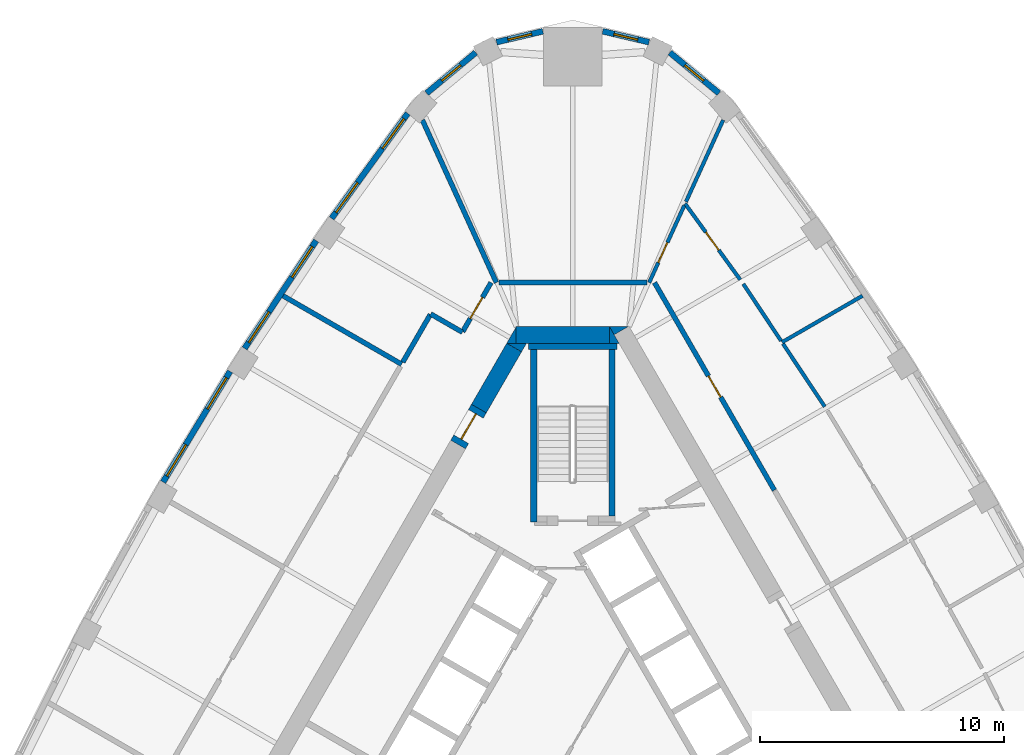
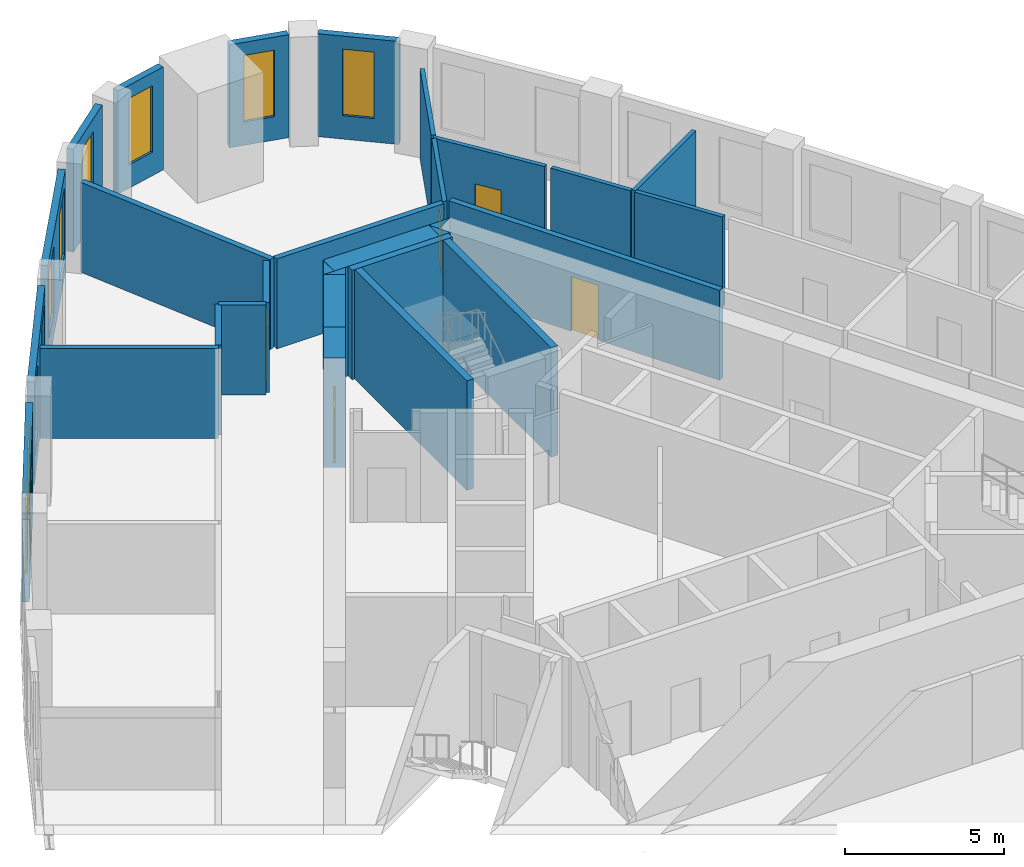
# One storey, part 8 of 10: 30 walls, 10 windows, 5 doors, 15 openings.
"""IFC4 building model written with IfcOpenShell, lengths in metres."""

from ifc_helpers import new_model, si_unit, direction, frame, frame_2d, origin, place, context, subcontext, project, spatial, polyline, rectangle, outline, extrude, material, layer, layer_set, type_object, element, fill, save


model = new_model("IFC4")

# Units and contexts
model_context = context("Model", 3, precision=1e-05, world=origin(), true_north=direction((0.0, 1.0)))
body_context = subcontext(model_context, "Body", "Model", "MODEL_VIEW")
ifc_project = project(units=[si_unit("LENGTHUNIT", "METRE"), si_unit("AREAUNIT", "SQUARE_METRE"), si_unit("VOLUMEUNIT", "CUBIC_METRE"), si_unit("PLANEANGLEUNIT", "RADIAN"), si_unit("MASSUNIT", "GRAM", prefix="KILO")], contexts=[model_context])

# Site, building, storey
site_placement = place(None, origin())
site = spatial("IfcSite", under=ifc_project, at=site_placement, CompositionType="ELEMENT")
building_placement = place(site_placement, origin())
building = spatial("IfcBuilding", under=site, at=building_placement, Name="Mestral Congress Tower", CompositionType="ELEMENT")
storey_placement = place(building_placement, frame((0.0, 0.0, 231.0)))
storey = spatial("IfcBuildingStorey", under=building, at=storey_placement, Name="L54", CompositionType="ELEMENT", Elevation=231.0)

# Walls
ifc_material_1 = material(Name="Concrete C60/75", Category="concrete")
ifc_layer_1 = layer(ifc_material_1, 0.699951171875)
ifc_layer_set_1 = layer_set([ifc_layer_1], Name="Concrete C60/75")
wall_type_1 = type_object("IfcWallType", Name="Core wall RC 700", PredefinedType="SOLIDWALL", material=ifc_layer_set_1)
placement = place(storey_placement, origin())
element("IfcWall", 1, at=placement, inside=storey, type_object=wall_type_1, Name="L54 core wall", PredefinedType="SOLIDWALL", context=body_context, shape_type="SweptSolid", body=[
    extrude(outline(polyline([(1.501220703125, 16.699951171875), (2.277099609375, 16.699951171875), (1.695068359375, 16.364013671875), (1.501220703125, 16.699951171875)])), origin(), (0.0, 0.0, 1.0), 4.199951171875),
])
wall_2_placement = place(storey_placement, frame((-2.323486328125, 16.35009765625, 0.0), z_axis=(0.0, 0.0, 1.0), x_axis=(1.0, 0.0, 0.0)))
element("IfcWall", 2, at=wall_2_placement, inside=storey, type_object=wall_type_1, Name="L54 core wall", PredefinedType="SOLIDWALL", context=body_context, shape_type="SweptSolid", body=[
    extrude(rectangle(XDim=3.828857421875, YDim=0.699951171875, at=frame_2d((1.91455078125, 0.0))), origin(), (0.0, 0.0, 1.0), 4.199951171875),
])
element("IfcWall", 3, at=placement, inside=storey, type_object=wall_type_1, Name="L54 core wall", PredefinedType="SOLIDWALL", context=body_context, shape_type="SweptSolid", body=[
    extrude(outline(polyline([(1.9052734375, 16.0), (1.50732421875, 16.0), (1.50732421875, 16.689208984375), (1.9052734375, 16.0)])), origin(), (0.0, 0.0, 1.0), 4.199951171875),
])
element("IfcWall", 4, at=placement, inside=storey, type_object=wall_type_1, Name="L54 core wall", PredefinedType="SOLIDWALL", context=body_context, shape_type="SweptSolid", body=[
    extrude(outline(polyline([(-2.71337890625, 16.0), (-2.325439453125, 16.672119140625), (-2.325439453125, 16.0), (-2.71337890625, 16.0)])), origin(), (0.0, 0.0, 1.0), 4.199951171875),
])
wall_5_placement = place(storey_placement, frame((-2.4033203125, 15.837158203125, 0.0), z_axis=(0.0, 0.0, 1.0), x_axis=(-0.500008214683, -0.866020660983, 0.0)))
element("IfcWall", 5, at=wall_5_placement, inside=storey, type_object=wall_type_1, Name="L54 core wall", PredefinedType="SOLIDWALL", context=body_context, shape_type="SweptSolid", body=[
    extrude(rectangle(XDim=2.88427734375, YDim=0.699951171875, at=frame_2d((1.442138671875, 0.0))), origin(), (0.0, 0.0, 1.0), 4.199951171875),
])
element("IfcWall", 6, at=placement, inside=storey, type_object=wall_type_1, Name="L54 core wall", PredefinedType="SOLIDWALL", context=body_context, shape_type="SweptSolid", body=[
    extrude(outline(polyline([(-1.9052734375, 16.0), (-2.099365234375, 15.6640625), (-2.681396484375, 16.0), (-1.9052734375, 16.0)])), origin(), (0.0, 0.0, 1.0), 4.199951171875),
])

# Wall, opening, door
wall_7_placement = place(storey_placement, frame((-4.695556640625, 11.866943359375, 0.0), z_axis=(0.0, 0.0, 1.0), x_axis=(0.499892348375, 0.866087547558, 0.0)))
wall_7 = element("IfcWall", 7, at=wall_7_placement, inside=storey, type_object=wall_type_1, Name="L54 door wall", PredefinedType="SOLIDWALL", context=body_context, shape_type="SweptSolid", body=[
    extrude(rectangle(XDim=1.699951171875, YDim=0.699951171875, at=frame_2d((0.85009765625, 0.0))), origin(), (0.0, 0.0, 1.0), 4.199951171875),
])
opening_1_placement = place(wall_7_placement, frame((0.25, 0.0, 0.0)))
opening_1 = element("IfcOpeningElement", 8, at=opening_1_placement, cuts=wall_7, Name="Opening XD2", PredefinedType="OPENING", context=body_context, shape_type="SweptSolid", body=[
    extrude(rectangle(XDim=1.199951171875, YDim=2.10009765625, at=frame_2d((0.60009765625, 1.050048828125))), frame((0.0, 0.35986328125, 0.0), z_axis=(0.0, -1.0, 0.0), x_axis=(1.0, 0.0, 0.0)), (0.0, 0.0, 1.0), 0.719970703125),
])
ifc_material_2 = material(Name="Fire-rated steel door set", Category="steel")
door_type_1 = type_object("IfcDoorType", Name="Core door XD 1200x2100", OperationType="SINGLE_SWING_LEFT", PredefinedType="DOOR", material=ifc_material_2)
door_1_placement = place(opening_1_placement, origin())
door_1 = element("IfcDoor", 9, at=door_1_placement, inside=storey, type_object=door_type_1, Name="Door XD2", OperationType="SINGLE_SWING_LEFT", OverallHeight=2.10009765625, OverallWidth=1.199951171875, PredefinedType="DOOR", context=body_context, shape_type="SweptSolid", body=[
    extrude(rectangle(XDim=1.199951171875, YDim=2.10009765625, at=frame_2d((0.60009765625, 1.050048828125))), frame((0.0, 0.02490234375, 0.0), z_axis=(0.0, -1.0, 0.0), x_axis=(1.0, 0.0, 0.0)), (0.0, 0.0, 1.0), 0.050048828125),
])
fill(opening_1, door_1)

# Wall, opening, window
ifc_material_3 = material(Name="Precast concrete C40/50 with limestone facing", Category="masonry")
ifc_layer_2 = layer(ifc_material_3, 0.239990234375)
ifc_layer_set_2 = layer_set([ifc_layer_2], Name="Precast concrete C40/50 with limestone facing")
wall_type_2 = type_object("IfcWallType", Name="Facade stone wall 240", PredefinedType="SOLIDWALL", material=ifc_layer_set_2)
wall_8_placement = place(storey_placement, frame((5.986572265625, 26.259033203125, 0.0), z_axis=(0.0, 0.0, 1.0), x_axis=(-0.769990037733, 0.638055908045, 0.0)))
wall_8 = element("IfcWall", 10, at=wall_8_placement, inside=storey, type_object=wall_type_2, Name="Facade wall K1-0", PredefinedType="SOLIDWALL", context=body_context, shape_type="SweptSolid", body=[
    extrude(rectangle(XDim=2.609130859375, YDim=0.239990234375, at=frame_2d((1.3046875, 0.0))), origin(), (0.0, 0.0, 1.0), 3.949951171875),
])
opening_2_placement = place(wall_8_placement, frame((0.8046875, 0.0, 0.89990234375)))
opening_2 = element("IfcOpeningElement", 11, at=opening_2_placement, cuts=wall_8, Name="Opening W5", PredefinedType="OPENING", context=body_context, shape_type="SweptSolid", body=[
    extrude(rectangle(XDim=1.0, YDim=2.550048828125, at=frame_2d((0.5, 1.27490234375))), frame((0.0, 0.1298828125, 0.0), z_axis=(0.0, -1.0, 0.0), x_axis=(1.0, 0.0, 0.0)), (0.0, 0.0, 1.0), 0.260009765625),
])
ifc_material_4 = material(Name="Clear low-emissivity double glazing", Category="glass")
window_type_1 = type_object("IfcWindowType", Name="Facade punched window 1000 x 2550 sill 900", PartitioningType="SINGLE_PANEL", PredefinedType="WINDOW", material=ifc_material_4)
window_1_placement = place(opening_2_placement, origin())
window_1 = element("IfcWindow", 12, at=window_1_placement, inside=storey, type_object=window_type_1, Name="Window K1-0", OverallHeight=2.550048828125, OverallWidth=1.0, PartitioningType="SINGLE_PANEL", PredefinedType="WINDOW", context=body_context, shape_type="SweptSolid", body=[
    extrude(rectangle(XDim=1.0, YDim=2.550048828125, at=frame_2d((0.5, 1.27490234375))), frame((0.0, 0.0400390625, 0.0), z_axis=(0.0, -1.0, 0.0), x_axis=(1.0, 0.0, 0.0)), (0.0, 0.0, 1.0), 0.06005859375),
])
fill(opening_2, window_1)

wall_9_placement = place(storey_placement, frame((3.123046875, 28.3486328125, 0.0), z_axis=(0.0, 0.0, 1.0), x_axis=(-0.973515706272, 0.228620142686, 0.0)))
wall_9 = element("IfcWall", 13, at=wall_9_placement, inside=storey, type_object=wall_type_2, Name="Facade wall K1-1", PredefinedType="SOLIDWALL", context=body_context, shape_type="SweptSolid", body=[
    extrude(rectangle(XDim=1.94775390625, YDim=0.239990234375, at=frame_2d((0.973876953125, 0.0))), origin(), (0.0, 0.0, 1.0), 3.949951171875),
])
opening_3_placement = place(wall_9_placement, frame((0.47412109375, 0.0, 0.89990234375)))
opening_3 = element("IfcOpeningElement", 14, at=opening_3_placement, cuts=wall_9, Name="Opening W5", PredefinedType="OPENING", context=body_context, shape_type="SweptSolid", body=[
    extrude(rectangle(XDim=1.0, YDim=2.550048828125, at=frame_2d((0.5, 1.27490234375))), frame((0.0, 0.1298828125, 0.0), z_axis=(0.0, -1.0, 0.0), x_axis=(1.0, 0.0, 0.0)), (0.0, 0.0, 1.0), 0.260009765625),
])
window_2_placement = place(opening_3_placement, origin())
window_2 = element("IfcWindow", 15, at=window_2_placement, inside=storey, type_object=window_type_1, Name="Window K1-1", OverallHeight=2.550048828125, OverallWidth=1.0, PartitioningType="SINGLE_PANEL", PredefinedType="WINDOW", context=body_context, shape_type="SweptSolid", body=[
    extrude(rectangle(XDim=1.0, YDim=2.550048828125, at=frame_2d((0.5, 1.27490234375))), frame((0.0, 0.0400390625, 0.0), z_axis=(0.0, -1.0, 0.0), x_axis=(1.0, 0.0, 0.0)), (0.0, 0.0, 1.0), 0.06005859375),
])
fill(opening_3, window_2)

wall_10_placement = place(storey_placement, frame((-1.226806640625, 28.7939453125, 0.0), z_axis=(0.0, 0.0, 1.0), x_axis=(-0.973515706272, -0.228620142686, 0.0)))
wall_10 = element("IfcWall", 16, at=wall_10_placement, inside=storey, type_object=wall_type_2, Name="Facade wall K1-2", PredefinedType="SOLIDWALL", context=body_context, shape_type="SweptSolid", body=[
    extrude(rectangle(XDim=1.94775390625, YDim=0.239990234375, at=frame_2d((0.973876953125, 0.0))), origin(), (0.0, 0.0, 1.0), 3.949951171875),
])
opening_4_placement = place(wall_10_placement, frame((0.47412109375, 0.0, 0.89990234375)))
opening_4 = element("IfcOpeningElement", 17, at=opening_4_placement, cuts=wall_10, Name="Opening W5", PredefinedType="OPENING", context=body_context, shape_type="SweptSolid", body=[
    extrude(rectangle(XDim=1.0, YDim=2.550048828125, at=frame_2d((0.5, 1.27490234375))), frame((0.0, 0.1298828125, 0.0), z_axis=(0.0, -1.0, 0.0), x_axis=(1.0, 0.0, 0.0)), (0.0, 0.0, 1.0), 0.260009765625),
])
window_3_placement = place(opening_4_placement, origin())
window_3 = element("IfcWindow", 18, at=window_3_placement, inside=storey, type_object=window_type_1, Name="Window K1-2", OverallHeight=2.550048828125, OverallWidth=1.0, PartitioningType="SINGLE_PANEL", PredefinedType="WINDOW", context=body_context, shape_type="SweptSolid", body=[
    extrude(rectangle(XDim=1.0, YDim=2.550048828125, at=frame_2d((0.5, 1.27490234375))), frame((0.0, 0.0400390625, 0.0), z_axis=(0.0, -1.0, 0.0), x_axis=(1.0, 0.0, 0.0)), (0.0, 0.0, 1.0), 0.06005859375),
])
fill(opening_4, window_3)

wall_11_placement = place(storey_placement, frame((-3.9775390625, 27.923828125, 0.0), z_axis=(0.0, 0.0, 1.0), x_axis=(-0.769990037733, -0.638055908045, 0.0)))
wall_11 = element("IfcWall", 19, at=wall_11_placement, inside=storey, type_object=wall_type_2, Name="Facade wall K1-3", PredefinedType="SOLIDWALL", context=body_context, shape_type="SweptSolid", body=[
    extrude(rectangle(XDim=2.609130859375, YDim=0.239990234375, at=frame_2d((1.3046875, 0.0))), origin(), (0.0, 0.0, 1.0), 3.949951171875),
])
opening_5_placement = place(wall_11_placement, frame((0.8046875, 0.0, 0.89990234375)))
opening_5 = element("IfcOpeningElement", 20, at=opening_5_placement, cuts=wall_11, Name="Opening W5", PredefinedType="OPENING", context=body_context, shape_type="SweptSolid", body=[
    extrude(rectangle(XDim=1.0, YDim=2.550048828125, at=frame_2d((0.5, 1.27490234375))), frame((0.0, 0.1298828125, 0.0), z_axis=(0.0, -1.0, 0.0), x_axis=(1.0, 0.0, 0.0)), (0.0, 0.0, 1.0), 0.260009765625),
])
window_4_placement = place(opening_5_placement, origin())
window_4 = element("IfcWindow", 21, at=window_4_placement, inside=storey, type_object=window_type_1, Name="Window K1-3", OverallHeight=2.550048828125, OverallWidth=1.0, PartitioningType="SINGLE_PANEL", PredefinedType="WINDOW", context=body_context, shape_type="SweptSolid", body=[
    extrude(rectangle(XDim=1.0, YDim=2.550048828125, at=frame_2d((0.5, 1.27490234375))), frame((0.0, 0.0400390625, 0.0), z_axis=(0.0, -1.0, 0.0), x_axis=(1.0, 0.0, 0.0)), (0.0, 0.0, 1.0), 0.06005859375),
])
fill(opening_5, window_4)

# Wall, openings, windows
wall_12_placement = place(storey_placement, frame((-6.760986328125, 25.431884765625, 0.0), z_axis=(0.0, 0.0, 1.0), x_axis=(-0.586998456641, -0.80958805074, 0.0)))
wall_12 = element("IfcWall", 22, at=wall_12_placement, inside=storey, type_object=wall_type_2, Name="Facade wall F2-00", PredefinedType="SOLIDWALL", context=body_context, shape_type="SweptSolid", body=[
    extrude(rectangle(XDim=5.310791015625, YDim=0.239990234375, at=frame_2d((2.6552734375, 0.0))), origin(), (0.0, 0.0, 1.0), 3.949951171875),
])
opening_6_placement = place(wall_12_placement, frame((0.271484375, 0.0, 0.89990234375)))
opening_6 = element("IfcOpeningElement", 23, at=opening_6_placement, cuts=wall_12, Name="Opening W4", PredefinedType="OPENING", context=body_context, shape_type="SweptSolid", body=[
    extrude(rectangle(XDim=1.5, YDim=2.550048828125, at=frame_2d((0.75, 1.27490234375))), frame((0.0, 0.1298828125, 0.0), z_axis=(0.0, -1.0, 0.0), x_axis=(1.0, 0.0, 0.0)), (0.0, 0.0, 1.0), 0.260009765625),
])
opening_7_placement = place(wall_12_placement, frame((3.50439453125, 0.0, 0.89990234375)))
opening_7 = element("IfcOpeningElement", 24, at=opening_7_placement, cuts=wall_12, Name="Opening W4", PredefinedType="OPENING", context=body_context, shape_type="SweptSolid", body=[
    extrude(rectangle(XDim=1.5, YDim=2.550048828125, at=frame_2d((0.75, 1.27490234375))), frame((0.0, 0.1298828125, 0.0), z_axis=(0.0, -1.0, 0.0), x_axis=(1.0, 0.0, 0.0)), (0.0, 0.0, 1.0), 0.260009765625),
])
window_type_2 = type_object("IfcWindowType", Name="Facade punched window 1500 x 2550 sill 900", PartitioningType="SINGLE_PANEL", PredefinedType="WINDOW", material=ifc_material_4)
window_5_placement = place(opening_6_placement, origin())
window_5 = element("IfcWindow", 25, at=window_5_placement, inside=storey, type_object=window_type_2, Name="Window F2-00a", OverallHeight=2.550048828125, OverallWidth=1.5, PartitioningType="SINGLE_PANEL", PredefinedType="WINDOW", context=body_context, shape_type="SweptSolid", body=[
    extrude(rectangle(XDim=1.5, YDim=2.550048828125, at=frame_2d((0.75, 1.27490234375))), frame((0.0, 0.0400390625, 0.0), z_axis=(0.0, -1.0, 0.0), x_axis=(1.0, 0.0, 0.0)), (0.0, 0.0, 1.0), 0.06005859375),
])
fill(opening_6, window_5)
window_6_placement = place(opening_7_placement, origin())
window_6 = element("IfcWindow", 26, at=window_6_placement, inside=storey, type_object=window_type_2, Name="Window F2-00b", OverallHeight=2.550048828125, OverallWidth=1.5, PartitioningType="SINGLE_PANEL", PredefinedType="WINDOW", context=body_context, shape_type="SweptSolid", body=[
    extrude(rectangle(XDim=1.5, YDim=2.550048828125, at=frame_2d((0.75, 1.27490234375))), frame((0.0, 0.0400390625, 0.0), z_axis=(0.0, -1.0, 0.0), x_axis=(1.0, 0.0, 0.0)), (0.0, 0.0, 1.0), 0.06005859375),
])
fill(opening_7, window_6)

wall_13_placement = place(storey_placement, frame((-10.5126953125, 20.21826171875, 0.0), z_axis=(0.0, 0.0, 1.0), x_axis=(-0.552901821755, -0.833246407433, 0.0)))
wall_13 = element("IfcWall", 27, at=wall_13_placement, inside=storey, type_object=wall_type_2, Name="Facade wall F2-01", PredefinedType="SOLIDWALL", context=body_context, shape_type="SweptSolid", body=[
    extrude(rectangle(XDim=5.29833984375, YDim=0.239990234375, at=frame_2d((2.649169921875, 0.0))), origin(), (0.0, 0.0, 1.0), 3.949951171875),
])
opening_8_placement = place(wall_13_placement, frame((0.29443359375, 0.0, 0.89990234375)))
opening_8 = element("IfcOpeningElement", 28, at=opening_8_placement, cuts=wall_13, Name="Opening W4", PredefinedType="OPENING", context=body_context, shape_type="SweptSolid", body=[
    extrude(rectangle(XDim=1.5, YDim=2.550048828125, at=frame_2d((0.75, 1.27490234375))), frame((0.0, 0.1298828125, 0.0), z_axis=(0.0, -1.0, 0.0), x_axis=(1.0, 0.0, 0.0)), (0.0, 0.0, 1.0), 0.260009765625),
])
opening_9_placement = place(wall_13_placement, frame((3.503662109375, 0.0, 0.89990234375)))
opening_9 = element("IfcOpeningElement", 29, at=opening_9_placement, cuts=wall_13, Name="Opening W4", PredefinedType="OPENING", context=body_context, shape_type="SweptSolid", body=[
    extrude(rectangle(XDim=1.5, YDim=2.550048828125, at=frame_2d((0.75, 1.27490234375))), frame((0.0, 0.1298828125, 0.0), z_axis=(0.0, -1.0, 0.0), x_axis=(1.0, 0.0, 0.0)), (0.0, 0.0, 1.0), 0.260009765625),
])
window_7_placement = place(opening_8_placement, origin())
window_7 = element("IfcWindow", 30, at=window_7_placement, inside=storey, type_object=window_type_2, Name="Window F2-01a", OverallHeight=2.550048828125, OverallWidth=1.5, PartitioningType="SINGLE_PANEL", PredefinedType="WINDOW", context=body_context, shape_type="SweptSolid", body=[
    extrude(rectangle(XDim=1.5, YDim=2.550048828125, at=frame_2d((0.75, 1.27490234375))), frame((0.0, 0.0400390625, 0.0), z_axis=(0.0, -1.0, 0.0), x_axis=(1.0, 0.0, 0.0)), (0.0, 0.0, 1.0), 0.06005859375),
])
fill(opening_8, window_7)
window_8_placement = place(opening_9_placement, origin())
window_8 = element("IfcWindow", 31, at=window_8_placement, inside=storey, type_object=window_type_2, Name="Window F2-01b", OverallHeight=2.550048828125, OverallWidth=1.5, PartitioningType="SINGLE_PANEL", PredefinedType="WINDOW", context=body_context, shape_type="SweptSolid", body=[
    extrude(rectangle(XDim=1.5, YDim=2.550048828125, at=frame_2d((0.75, 1.27490234375))), frame((0.0, 0.0400390625, 0.0), z_axis=(0.0, -1.0, 0.0), x_axis=(1.0, 0.0, 0.0)), (0.0, 0.0, 1.0), 0.06005859375),
])
fill(opening_9, window_8)

wall_14_placement = place(storey_placement, frame((-14.0380859375, 14.86376953125, 0.0), z_axis=(0.0, 0.0, 1.0), x_axis=(-0.517846166225, -0.855473756538, 0.0)))
wall_14 = element("IfcWall", 32, at=wall_14_placement, inside=storey, type_object=wall_type_2, Name="Facade wall F2-02", PredefinedType="SOLIDWALL", context=body_context, shape_type="SweptSolid", body=[
    extrude(rectangle(XDim=5.298095703125, YDim=0.239990234375, at=frame_2d((2.64892578125, 0.0))), origin(), (0.0, 0.0, 1.0), 3.949951171875),
])
opening_10_placement = place(wall_14_placement, frame((0.29443359375, 0.0, 0.89990234375)))
opening_10 = element("IfcOpeningElement", 33, at=opening_10_placement, cuts=wall_14, Name="Opening W4", PredefinedType="OPENING", context=body_context, shape_type="SweptSolid", body=[
    extrude(rectangle(XDim=1.5, YDim=2.550048828125, at=frame_2d((0.75, 1.27490234375))), frame((0.0, 0.1298828125, 0.0), z_axis=(0.0, -1.0, 0.0), x_axis=(1.0, 0.0, 0.0)), (0.0, 0.0, 1.0), 0.260009765625),
])
opening_11_placement = place(wall_14_placement, frame((3.503662109375, 0.0, 0.89990234375)))
opening_11 = element("IfcOpeningElement", 34, at=opening_11_placement, cuts=wall_14, Name="Opening W4", PredefinedType="OPENING", context=body_context, shape_type="SweptSolid", body=[
    extrude(rectangle(XDim=1.5, YDim=2.550048828125, at=frame_2d((0.75, 1.27490234375))), frame((0.0, 0.1298828125, 0.0), z_axis=(0.0, -1.0, 0.0), x_axis=(1.0, 0.0, 0.0)), (0.0, 0.0, 1.0), 0.260009765625),
])
window_9_placement = place(opening_10_placement, origin())
window_9 = element("IfcWindow", 35, at=window_9_placement, inside=storey, type_object=window_type_2, Name="Window F2-02a", OverallHeight=2.550048828125, OverallWidth=1.5, PartitioningType="SINGLE_PANEL", PredefinedType="WINDOW", context=body_context, shape_type="SweptSolid", body=[
    extrude(rectangle(XDim=1.5, YDim=2.550048828125, at=frame_2d((0.75, 1.27490234375))), frame((0.0, 0.0400390625, 0.0), z_axis=(0.0, -1.0, 0.0), x_axis=(1.0, 0.0, 0.0)), (0.0, 0.0, 1.0), 0.06005859375),
])
fill(opening_10, window_9)
window_10_placement = place(opening_11_placement, origin())
window_10 = element("IfcWindow", 36, at=window_10_placement, inside=storey, type_object=window_type_2, Name="Window F2-02b", OverallHeight=2.550048828125, OverallWidth=1.5, PartitioningType="SINGLE_PANEL", PredefinedType="WINDOW", context=body_context, shape_type="SweptSolid", body=[
    extrude(rectangle(XDim=1.5, YDim=2.550048828125, at=frame_2d((0.75, 1.27490234375))), frame((0.0, 0.0400390625, 0.0), z_axis=(0.0, -1.0, 0.0), x_axis=(1.0, 0.0, 0.0)), (0.0, 0.0, 1.0), 0.06005859375),
])
fill(opening_11, window_10)

# Walls
ifc_material_5 = material(Name="Plasterboard partition on steel studs", Category="steel")
ifc_layer_3 = layer(ifc_material_5, 0.14990234375)
ifc_layer_set_3 = layer_set([ifc_layer_3], Name="Plasterboard partition on steel studs")
wall_type_3 = type_object("IfcWallType", Name="Office partition 150", PredefinedType="PARTITIONING", material=ifc_layer_set_3)
wall_15_placement = place(storey_placement, frame((8.5703125, 16.055908203125, 0.0), z_axis=(0.0, 0.0, 1.0), x_axis=(0.866000839906, 0.500042543472, 0.0)))
element("IfcWall", 37, at=wall_15_placement, inside=storey, type_object=wall_type_3, Name="Partition", PredefinedType="PARTITIONING", context=body_context, shape_type="SweptSolid", body=[
    extrude(rectangle(XDim=3.807373046875, YDim=0.14990234375, at=frame_2d((1.90380859375, 0.0))), origin(), (0.0, 0.0, 1.0), 3.449951171875),
])
wall_16_placement = place(storey_placement, frame((10.320068359375, 13.418701171875, 0.0), z_axis=(0.0, 0.0, 1.0), x_axis=(-0.552857215969, 0.833276003945, 0.0)))
element("IfcWall", 38, at=wall_16_placement, inside=storey, type_object=wall_type_3, Name="Partition", PredefinedType="PARTITIONING", context=body_context, shape_type="SweptSolid", body=[
    extrude(rectangle(XDim=3.08984375, YDim=0.14990234375, at=frame_2d((1.544921875, 0.0))), origin(), (0.0, 0.0, 1.0), 3.449951171875),
])
wall_17_placement = place(storey_placement, frame((8.528564453125, 16.118408203125, 0.0), z_axis=(0.0, 0.0, 1.0), x_axis=(-0.552884246744, 0.833258069089, 0.0)))
element("IfcWall", 39, at=wall_17_placement, inside=storey, type_object=wall_type_3, Name="Partition", PredefinedType="PARTITIONING", context=body_context, shape_type="SweptSolid", body=[
    extrude(rectangle(XDim=2.794189453125, YDim=0.14990234375, at=frame_2d((1.39697265625, 0.0))), origin(), (0.0, 0.0, 1.0), 3.449951171875),
])

# Wall, opening, door
wall_18_placement = place(storey_placement, frame((4.6005859375, 21.733154296875, 0.0), z_axis=(0.0, 0.0, 1.0), x_axis=(0.587031033917, -0.809564429319, 0.0)))
wall_18 = element("IfcWall", 40, at=wall_18_placement, inside=storey, type_object=wall_type_3, Name="Partition", PredefinedType="PARTITIONING", context=body_context, shape_type="SweptSolid", body=[
    extrude(rectangle(XDim=3.84521484375, YDim=0.14990234375, at=frame_2d((1.922607421875, 0.0))), origin(), (0.0, 0.0, 1.0), 3.449951171875),
])
opening_12_placement = place(wall_18_placement, frame((1.4453125, 0.0, 0.0)))
opening_12 = element("IfcOpeningElement", 41, at=opening_12_placement, cuts=wall_18, Name="Opening O08-017", PredefinedType="OPENING", context=body_context, shape_type="SweptSolid", body=[
    extrude(rectangle(XDim=0.89990234375, YDim=2.10009765625, at=frame_2d((0.449951171875, 1.050048828125))), frame((0.0, 0.0849609375, 0.0), z_axis=(0.0, -1.0, 0.0), x_axis=(1.0, 0.0, 0.0)), (0.0, 0.0, 1.0), 0.169921875),
])
ifc_material_6 = material(Name="Timber door set", Category="wood")
door_type_2 = type_object("IfcDoorType", Name="Office door 900x2100", OperationType="SINGLE_SWING_LEFT", PredefinedType="DOOR", material=ifc_material_6)
door_2_placement = place(opening_12_placement, origin())
door_2 = element("IfcDoor", 42, at=door_2_placement, inside=storey, type_object=door_type_2, Name="Door O08-017", OperationType="SINGLE_SWING_LEFT", OverallHeight=2.10009765625, OverallWidth=0.89990234375, PredefinedType="DOOR", context=body_context, shape_type="SweptSolid", body=[
    extrude(rectangle(XDim=0.89990234375, YDim=2.10009765625, at=frame_2d((0.449951171875, 1.050048828125))), frame((0.0, 0.02490234375, 0.0), z_axis=(0.0, -1.0, 0.0), x_axis=(1.0, 0.0, 0.0)), (0.0, 0.0, 1.0), 0.050048828125),
])
fill(opening_12, door_2)

# Wall
wall_19_placement = place(storey_placement, frame((4.636474609375, 21.811767578125, 0.0), z_axis=(0.0, 0.0, 1.0), x_axis=(0.414322811892, 0.910129994861, 0.0)))
element("IfcWall", 43, at=wall_19_placement, inside=storey, type_object=wall_type_3, Name="Partition", PredefinedType="PARTITIONING", context=body_context, shape_type="SweptSolid", body=[
    extrude(rectangle(XDim=3.67919921875, YDim=0.14990234375, at=frame_2d((1.839599609375, 0.0))), origin(), (0.0, 0.0, 1.0), 3.449951171875),
])

# Wall, opening, door
wall_20_placement = place(storey_placement, frame((3.12890625, 18.5, 0.0), z_axis=(0.0, 0.0, 1.0), x_axis=(0.414291096557, 0.910144432117, 0.0)))
wall_20 = element("IfcWall", 44, at=wall_20_placement, inside=storey, type_object=wall_type_3, Name="Partition", PredefinedType="PARTITIONING", context=body_context, shape_type="SweptSolid", body=[
    extrude(rectangle(XDim=3.46630859375, YDim=0.14990234375, at=frame_2d((1.733154296875, 0.0))), origin(), (0.0, 0.0, 1.0), 3.449951171875),
])
opening_13_placement = place(wall_20_placement, frame((0.89990234375, 0.0, 0.0)))
opening_13 = element("IfcOpeningElement", 45, at=opening_13_placement, cuts=wall_20, Name="Opening O08-019", PredefinedType="OPENING", context=body_context, shape_type="SweptSolid", body=[
    extrude(rectangle(XDim=0.89990234375, YDim=2.10009765625, at=frame_2d((0.449951171875, 1.050048828125))), frame((0.0, 0.0849609375, 0.0), z_axis=(0.0, -1.0, 0.0), x_axis=(1.0, 0.0, 0.0)), (0.0, 0.0, 1.0), 0.169921875),
])
door_3_placement = place(opening_13_placement, origin())
door_3 = element("IfcDoor", 46, at=door_3_placement, inside=storey, type_object=door_type_2, Name="Door O08-019", OperationType="SINGLE_SWING_LEFT", OverallHeight=2.10009765625, OverallWidth=0.89990234375, PredefinedType="DOOR", context=body_context, shape_type="SweptSolid", body=[
    extrude(rectangle(XDim=0.89990234375, YDim=2.10009765625, at=frame_2d((0.449951171875, 1.050048828125))), frame((0.0, 0.02490234375, 0.0), z_axis=(0.0, -1.0, 0.0), x_axis=(1.0, 0.0, 0.0)), (0.0, 0.0, 1.0), 0.050048828125),
])
fill(opening_13, door_3)

# Walls
ifc_material_7 = material(Name="Dense masonry wall, plastered", Category="masonry")
ifc_layer_4 = layer(ifc_material_7, 0.199951171875)
ifc_layer_set_4 = layer_set([ifc_layer_4], Name="Dense masonry wall, plastered")
wall_type_4 = type_object("IfcWallType", Name="Office tenancy wall 200", PredefinedType="PARTITIONING", material=ifc_layer_set_4)
wall_21_placement = place(storey_placement, frame((-7.011474609375, 15.156005859375, 0.0), z_axis=(0.0, 0.0, 1.0), x_axis=(-0.866015917575, 0.500016430238, 0.0)))
element("IfcWall", 47, at=wall_21_placement, inside=storey, type_object=wall_type_4, Name="Tenancy wall", PredefinedType="PARTITIONING", context=body_context, shape_type="SweptSolid", body=[
    extrude(rectangle(XDim=5.607177734375, YDim=0.199951171875, at=frame_2d((2.8037109375, 0.0))), origin(), (0.0, 0.0, 1.0), 3.449951171875),
])
wall_22_placement = place(storey_placement, frame((-6.160888671875, 25.160400390625, 0.0), z_axis=(0.0, 0.0, 1.0), x_axis=(0.414315639321, -0.910133260031, 0.0)))
element("IfcWall", 48, at=wall_22_placement, inside=storey, type_object=wall_type_4, Name="Tenancy wall", PredefinedType="PARTITIONING", context=body_context, shape_type="SweptSolid", body=[
    extrude(rectangle(XDim=7.318115234375, YDim=0.199951171875, at=frame_2d((3.6591796875, 0.0))), origin(), (0.0, 0.0, 1.0), 3.449951171875),
])
wall_23_placement = place(storey_placement, frame((-4.522216796875, 16.46728515625, 0.0), z_axis=(0.0, 0.0, 1.0), x_axis=(-0.866031096941, 0.499990139034, 0.0)))
element("IfcWall", 49, at=wall_23_placement, inside=storey, type_object=wall_type_4, Name="Tenancy wall", PredefinedType="PARTITIONING", context=body_context, shape_type="SweptSolid", body=[
    extrude(rectangle(XDim=1.5, YDim=0.199951171875, at=frame_2d((0.75, 0.0))), origin(), (0.0, 0.0, 1.0), 3.449951171875),
])
wall_24_placement = place(storey_placement, frame((-5.836181640625, 17.19140625, 0.0), z_axis=(0.0, 0.0, 1.0), x_axis=(-0.500048020061, -0.865997677614, 0.0)))
element("IfcWall", 50, at=wall_24_placement, inside=storey, type_object=wall_type_4, Name="Tenancy wall", PredefinedType="PARTITIONING", context=body_context, shape_type="SweptSolid", body=[
    extrude(rectangle(XDim=2.250244140625, YDim=0.199951171875, at=frame_2d((1.125, 0.0))), origin(), (0.0, 0.0, 1.0), 3.449951171875),
])

# Wall, opening, door
wall_25_placement = place(storey_placement, frame((-3.3486328125, 18.5, 0.0), z_axis=(0.0, 0.0, 1.0), x_axis=(-0.499980886083, -0.866036438928, 0.0)))
wall_25 = element("IfcWall", 51, at=wall_25_placement, inside=storey, type_object=wall_type_4, Name="Tenancy wall", PredefinedType="PARTITIONING", context=body_context, shape_type="SweptSolid", body=[
    extrude(rectangle(XDim=2.31689453125, YDim=0.199951171875, at=frame_2d((1.158447265625, 0.0))), origin(), (0.0, 0.0, 1.0), 3.449951171875),
])
opening_14_placement = place(wall_25_placement, frame((0.699951171875, 0.0, 0.0)))
opening_14 = element("IfcOpeningElement", 52, at=opening_14_placement, cuts=wall_25, Name="Opening O08-001", PredefinedType="OPENING", context=body_context, shape_type="SweptSolid", body=[
    extrude(rectangle(XDim=1.0, YDim=2.10009765625, at=frame_2d((0.5, 1.050048828125))), frame((0.0, 0.10986328125, 0.0), z_axis=(0.0, -1.0, 0.0), x_axis=(1.0, 0.0, 0.0)), (0.0, 0.0, 1.0), 0.219970703125),
])
ifc_material_8 = material(Name="Fire-rated timber door set", Category="wood")
door_type_3 = type_object("IfcDoorType", Name="Office tenancy entrance door 1000x2100", OperationType="SINGLE_SWING_LEFT", PredefinedType="DOOR", material=ifc_material_8)
door_4_placement = place(opening_14_placement, origin())
door_4 = element("IfcDoor", 53, at=door_4_placement, inside=storey, type_object=door_type_3, Name="Door O08-001", OperationType="SINGLE_SWING_RIGHT", OverallHeight=2.10009765625, OverallWidth=1.0, PredefinedType="DOOR", context=body_context, shape_type="SweptSolid", body=[
    extrude(rectangle(XDim=1.0, YDim=2.10009765625, at=frame_2d((0.5, 1.050048828125))), frame((0.0, 0.02490234375, 0.0), z_axis=(0.0, -1.0, 0.0), x_axis=(1.0, 0.0, 0.0)), (0.0, 0.0, 1.0), 0.050048828125),
])
fill(opening_14, door_4)

wall_26_placement = place(storey_placement, frame((8.257080078125, 9.998046875, 0.0), z_axis=(0.0, 0.0, 1.0), x_axis=(-0.499987955211, 0.866032357735, 0.0)))
wall_26 = element("IfcWall", 54, at=wall_26_placement, inside=storey, type_object=wall_type_4, Name="Tenancy wall", PredefinedType="PARTITIONING", context=body_context, shape_type="SweptSolid", body=[
    extrude(rectangle(XDim=9.817138671875, YDim=0.199951171875, at=frame_2d((4.90869140625, 0.0))), origin(), (0.0, 0.0, 1.0), 3.449951171875),
])
opening_15_placement = place(wall_26_placement, frame((4.39990234375, 0.0, 0.0)))
opening_15 = element("IfcOpeningElement", 55, at=opening_15_placement, cuts=wall_26, Name="Opening O08-018", PredefinedType="OPENING", context=body_context, shape_type="SweptSolid", body=[
    extrude(rectangle(XDim=1.0, YDim=2.10009765625, at=frame_2d((0.5, 1.050048828125))), frame((0.0, 0.10986328125, 0.0), z_axis=(0.0, -1.0, 0.0), x_axis=(1.0, 0.0, 0.0)), (0.0, 0.0, 1.0), 0.219970703125),
])
door_5_placement = place(opening_15_placement, origin())
door_5 = element("IfcDoor", 56, at=door_5_placement, inside=storey, type_object=door_type_3, Name="Door O08-018", OperationType="SINGLE_SWING_LEFT", OverallHeight=2.10009765625, OverallWidth=1.0, PredefinedType="DOOR", context=body_context, shape_type="SweptSolid", body=[
    extrude(rectangle(XDim=1.0, YDim=2.10009765625, at=frame_2d((0.5, 1.050048828125))), frame((0.0, 0.02490234375, 0.0), z_axis=(0.0, -1.0, 0.0), x_axis=(1.0, 0.0, 0.0)), (0.0, 0.0, 1.0), 0.050048828125),
])
fill(opening_15, door_5)

# Walls
wall_27_placement = place(storey_placement, frame((3.04638671875, 18.5, 0.0), z_axis=(0.0, 0.0, 1.0), x_axis=(-1.0, 0.0, 0.0)))
element("IfcWall", 57, at=wall_27_placement, inside=storey, type_object=wall_type_4, Name="Tenancy wall", PredefinedType="PARTITIONING", context=body_context, shape_type="SweptSolid", body=[
    extrude(rectangle(XDim=6.0654296875, YDim=0.199951171875, at=frame_2d((3.03271484375, 0.0))), origin(), (0.0, 0.0, 1.0), 3.449951171875),
])
ifc_layer_5 = layer(ifc_material_1, 0.25)
ifc_layer_set_5 = layer_set([ifc_layer_5], Name="Concrete C60/75")
wall_type_5 = type_object("IfcWallType", Name="Stair wall RC 250", PredefinedType="SOLIDWALL", material=ifc_layer_set_5)
wall_28_placement = place(storey_placement, frame((-1.81689453125, 15.875, 0.0), z_axis=(0.0, 0.0, 1.0), x_axis=(1.0, 0.0, 0.0)))
element("IfcWall", 58, at=wall_28_placement, inside=storey, type_object=wall_type_5, Name="L54 core wall", PredefinedType="SOLIDWALL", context=body_context, shape_type="SweptSolid", body=[
    extrude(rectangle(XDim=3.6337890625, YDim=0.25, at=frame_2d((1.81689453125, 0.0))), origin(), (0.0, 0.0, 1.0), 4.199951171875),
])
wall_29_placement = place(storey_placement, frame((1.60009765625, 8.949951171875, 0.0), z_axis=(0.0, 0.0, 1.0), x_axis=(0.0, 1.0, 0.0)))
element("IfcWall", 59, at=wall_29_placement, inside=storey, type_object=wall_type_5, Name="L54 core wall", PredefinedType="SOLIDWALL", context=body_context, shape_type="SweptSolid", body=[
    extrude(rectangle(XDim=6.800048828125, YDim=0.25, at=frame_2d((3.39990234375, 0.0))), origin(), (0.0, 0.0, 1.0), 4.199951171875),
])
wall_30_placement = place(storey_placement, frame((-1.60009765625, 8.699951171875, 0.0), z_axis=(0.0, 0.0, 1.0), x_axis=(0.0, 1.0, 0.0)))
element("IfcWall", 60, at=wall_30_placement, inside=storey, type_object=wall_type_5, Name="L54 core wall", PredefinedType="SOLIDWALL", context=body_context, shape_type="SweptSolid", body=[
    extrude(rectangle(XDim=7.050048828125, YDim=0.25, at=frame_2d((3.52490234375, 0.0))), origin(), (0.0, 0.0, 1.0), 4.199951171875),
])

save(model, "model.ifc")
